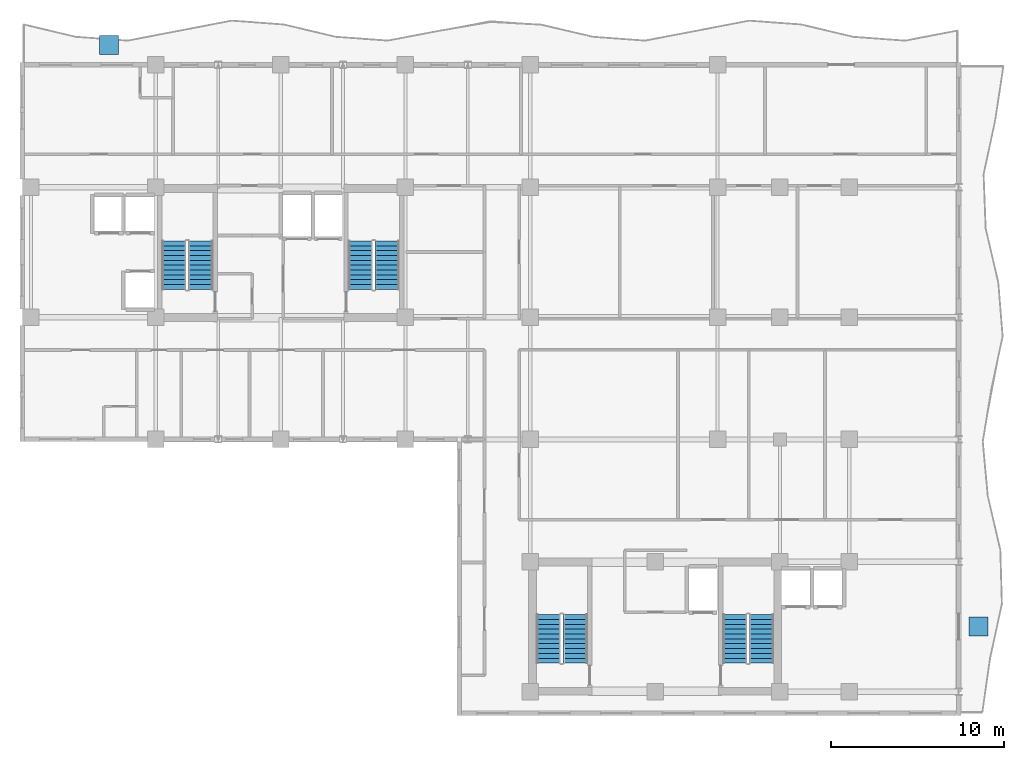
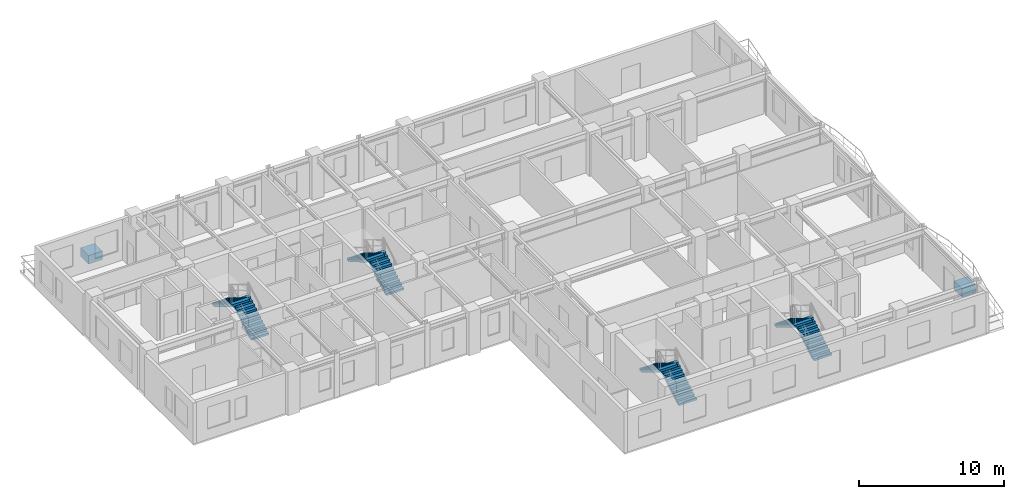
# One storey, part 10 of 13: 8 stair flights, 2 discrete accessories, 4 elements without a shape of their own.
"""IFC4 building model written with IfcOpenShell, lengths in metres."""

from ifc_helpers import new_model, si_unit, direction, frame, origin, origin_2d, place, context, subcontext, project, spatial, polyline, rectangle, outline, extrude, source, transform, mapped, material, type_object, element, aggregate, save


model = new_model("IFC4")

# Units and contexts
model_context = context("Model", 3, precision=1e-05, world=origin(), true_north=direction((0.0, 1.0)))
body_context = subcontext(model_context, "Body", "Model", "MODEL_VIEW")
ifc_project = project(units=[si_unit("LENGTHUNIT", "METRE"), si_unit("AREAUNIT", "SQUARE_METRE"), si_unit("VOLUMEUNIT", "CUBIC_METRE"), si_unit("PLANEANGLEUNIT", "RADIAN"), si_unit("MASSUNIT", "GRAM", prefix="KILO")], contexts=[model_context])

# Site, building, storey
site_placement = place(None, origin())
site = spatial("IfcSite", under=ifc_project, at=site_placement, CompositionType="ELEMENT")
building_placement = place(site_placement, origin())
building = spatial("IfcBuilding", under=site, at=building_placement, Name="Kaliganga Portal Commons", CompositionType="ELEMENT")
storey_placement = place(building_placement, frame((0.0, 0.0, 209.199951171875)))
storey = spatial("IfcBuildingStorey", under=building, at=storey_placement, Name="L53", CompositionType="ELEMENT", Elevation=209.199951171875)

# Stair, stair flights
ifc_material_1 = material(Name="Concrete C40/50", Category="concrete")
stair_type = type_object("IfcStairType", Name="ST-CORE-DOGLEG", PredefinedType="HALF_TURN_STAIR", material=ifc_material_1)
stair_1_placement = place(storey_placement, origin())
stair_1 = element("IfcStair", 1, at=stair_1_placement, inside=storey, type_object=stair_type, Name="L53 Protected Exit Stair ST-A1", PredefinedType="HALF_TURN_STAIR")
stair_flight_type = type_object("IfcStairFlightType", Name="STF-RC-1400", PredefinedType="STRAIGHT", material=ifc_material_1)
stair_flight_1_placement = place(storey_placement, frame((17.0, 30.25, 0.0), z_axis=(0.0, 0.0, 1.0), x_axis=(0.0, 1.0, 0.0)))
stair_flight_1 = element("IfcStairFlight", 2, at=stair_flight_1_placement, type_object=stair_flight_type, Name="ST-A1 flight 1", NumberOfRisers=11, NumberOfTreads=10, PredefinedType="STRAIGHT", RiserHeight=0.168181818, TreadLength=0.28, context=body_context, shape_type="SweptSolid", body=[
    extrude(outline(polyline([(0.0, 0.0), (0.0, 0.168212890625), (0.280029296875, 0.168212890625), (0.280029296875, 0.33642578125), (0.56005859375, 0.33642578125), (0.56005859375, 0.504638671875), (0.840087890625, 0.504638671875), (0.840087890625, 0.672607421875), (1.1201171875, 0.672607421875), (1.1201171875, 0.8408203125), (1.39990234375, 0.8408203125), (1.39990234375, 1.009033203125), (1.679931640625, 1.009033203125), (1.679931640625, 1.17724609375), (1.9599609375, 1.17724609375), (1.9599609375, 1.345458984375), (2.239990234375, 1.345458984375), (2.239990234375, 1.513671875), (2.52001953125, 1.513671875), (2.52001953125, 1.681884765625), (2.800048828125, 1.681884765625), (2.800048828125, 1.85009765625), (2.800048828125, 1.5068359375), (0.291015625, 0.0), (0.0, 0.0)])), frame((0.0, 0.699951171875, 0.0), z_axis=(0.0, -1.0, 0.0), x_axis=(1.0, 0.0, 0.0)), (0.0, 0.0, 1.0), 1.39990234375),
])
stair_flight_2_placement = place(storey_placement, frame((15.449951171875, 33.050048828125, 1.85009765625), z_axis=(0.0, 0.0, 1.0), x_axis=(0.0, -1.0, 0.0)))
stair_flight_2 = element("IfcStairFlight", 3, at=stair_flight_2_placement, type_object=stair_flight_type, Name="ST-A1 flight 2", NumberOfRisers=11, NumberOfTreads=10, PredefinedType="STRAIGHT", RiserHeight=0.168181818, TreadLength=0.28, context=body_context, shape_type="SweptSolid", body=[
    extrude(outline(polyline([(0.0, 0.0), (0.0, 0.168212890625), (0.280029296875, 0.168212890625), (0.280029296875, 0.33642578125), (0.56005859375, 0.33642578125), (0.56005859375, 0.504638671875), (0.840087890625, 0.504638671875), (0.840087890625, 0.672607421875), (1.1201171875, 0.672607421875), (1.1201171875, 0.8408203125), (1.39990234375, 0.8408203125), (1.39990234375, 1.009033203125), (1.679931640625, 1.009033203125), (1.679931640625, 1.17724609375), (1.9599609375, 1.17724609375), (1.9599609375, 1.345458984375), (2.239990234375, 1.345458984375), (2.239990234375, 1.513671875), (2.52001953125, 1.513671875), (2.52001953125, 1.681884765625), (2.800048828125, 1.681884765625), (2.800048828125, 1.85009765625), (2.800048828125, 1.5068359375), (0.291015625, 0.0), (0.0, 0.0)])), frame((0.0, 0.699951171875, 0.0), z_axis=(0.0, -1.0, 0.0), x_axis=(1.0, 0.0, 0.0)), (0.0, 0.0, 1.0), 1.39990234375),
])
aggregate(stair_1, [stair_flight_1, stair_flight_2])

stair_2_placement = place(storey_placement, origin())
stair_2 = element("IfcStair", 4, at=stair_2_placement, inside=storey, type_object=stair_type, Name="L53 Protected Exit Stair ST-A2", PredefinedType="HALF_TURN_STAIR")
stair_flight_3_placement = place(storey_placement, frame((27.75, 30.25, 0.0), z_axis=(0.0, 0.0, 1.0), x_axis=(0.0, 1.0, 0.0)))
stair_flight_3 = element("IfcStairFlight", 5, at=stair_flight_3_placement, type_object=stair_flight_type, Name="ST-A2 flight 1", NumberOfRisers=11, NumberOfTreads=10, PredefinedType="STRAIGHT", RiserHeight=0.168181818, TreadLength=0.28, context=body_context, shape_type="SweptSolid", body=[
    extrude(outline(polyline([(0.0, 0.0), (0.0, 0.168212890625), (0.280029296875, 0.168212890625), (0.280029296875, 0.33642578125), (0.56005859375, 0.33642578125), (0.56005859375, 0.504638671875), (0.840087890625, 0.504638671875), (0.840087890625, 0.672607421875), (1.1201171875, 0.672607421875), (1.1201171875, 0.8408203125), (1.39990234375, 0.8408203125), (1.39990234375, 1.009033203125), (1.679931640625, 1.009033203125), (1.679931640625, 1.17724609375), (1.9599609375, 1.17724609375), (1.9599609375, 1.345458984375), (2.239990234375, 1.345458984375), (2.239990234375, 1.513671875), (2.52001953125, 1.513671875), (2.52001953125, 1.681884765625), (2.800048828125, 1.681884765625), (2.800048828125, 1.85009765625), (2.800048828125, 1.5068359375), (0.291015625, 0.0), (0.0, 0.0)])), frame((0.0, 0.699951171875, 0.0), z_axis=(0.0, -1.0, 0.0), x_axis=(1.0, 0.0, 0.0)), (0.0, 0.0, 1.0), 1.39990234375),
])
stair_flight_4_placement = place(storey_placement, frame((26.199951171875, 33.050048828125, 1.85009765625), z_axis=(0.0, 0.0, 1.0), x_axis=(0.0, -1.0, 0.0)))
stair_flight_4 = element("IfcStairFlight", 6, at=stair_flight_4_placement, type_object=stair_flight_type, Name="ST-A2 flight 2", NumberOfRisers=11, NumberOfTreads=10, PredefinedType="STRAIGHT", RiserHeight=0.168181818, TreadLength=0.28, context=body_context, shape_type="SweptSolid", body=[
    extrude(outline(polyline([(0.0, 0.0), (0.0, 0.168212890625), (0.280029296875, 0.168212890625), (0.280029296875, 0.33642578125), (0.56005859375, 0.33642578125), (0.56005859375, 0.504638671875), (0.840087890625, 0.504638671875), (0.840087890625, 0.672607421875), (1.1201171875, 0.672607421875), (1.1201171875, 0.8408203125), (1.39990234375, 0.8408203125), (1.39990234375, 1.009033203125), (1.679931640625, 1.009033203125), (1.679931640625, 1.17724609375), (1.9599609375, 1.17724609375), (1.9599609375, 1.345458984375), (2.239990234375, 1.345458984375), (2.239990234375, 1.513671875), (2.52001953125, 1.513671875), (2.52001953125, 1.681884765625), (2.800048828125, 1.681884765625), (2.800048828125, 1.85009765625), (2.800048828125, 1.5068359375), (0.291015625, 0.0), (0.0, 0.0)])), frame((0.0, 0.699951171875, 0.0), z_axis=(0.0, -1.0, 0.0), x_axis=(1.0, 0.0, 0.0)), (0.0, 0.0, 1.0), 1.39990234375),
])
aggregate(stair_2, [stair_flight_3, stair_flight_4])

stair_3_placement = place(storey_placement, origin())
stair_3 = element("IfcStair", 7, at=stair_3_placement, inside=storey, type_object=stair_type, Name="L53 Protected Exit Stair ST-B1", PredefinedType="HALF_TURN_STAIR")
stair_flight_5_placement = place(storey_placement, frame((38.60009765625, 8.699951171875, 0.0), z_axis=(0.0, 0.0, 1.0), x_axis=(0.0, 1.0, 0.0)))
stair_flight_5 = element("IfcStairFlight", 8, at=stair_flight_5_placement, type_object=stair_flight_type, Name="ST-B1 flight 1", NumberOfRisers=11, NumberOfTreads=10, PredefinedType="STRAIGHT", RiserHeight=0.168181818, TreadLength=0.28, context=body_context, shape_type="SweptSolid", body=[
    extrude(outline(polyline([(0.0, 0.0), (0.0, 0.168212890625), (0.280029296875, 0.168212890625), (0.280029296875, 0.33642578125), (0.56005859375, 0.33642578125), (0.56005859375, 0.504638671875), (0.840087890625, 0.504638671875), (0.840087890625, 0.672607421875), (1.1201171875, 0.672607421875), (1.1201171875, 0.8408203125), (1.39990234375, 0.8408203125), (1.39990234375, 1.009033203125), (1.679931640625, 1.009033203125), (1.679931640625, 1.17724609375), (1.9599609375, 1.17724609375), (1.9599609375, 1.345458984375), (2.239990234375, 1.345458984375), (2.239990234375, 1.513671875), (2.52001953125, 1.513671875), (2.52001953125, 1.681884765625), (2.800048828125, 1.681884765625), (2.800048828125, 1.85009765625), (2.800048828125, 1.5068359375), (0.291015625, 0.0), (0.0, 0.0)])), frame((0.0, 0.699951171875, 0.0), z_axis=(0.0, -1.0, 0.0), x_axis=(1.0, 0.0, 0.0)), (0.0, 0.0, 1.0), 1.39990234375),
])
stair_flight_6_placement = place(storey_placement, frame((37.050048828125, 11.5, 1.85009765625), z_axis=(0.0, 0.0, 1.0), x_axis=(0.0, -1.0, 0.0)))
stair_flight_6 = element("IfcStairFlight", 9, at=stair_flight_6_placement, type_object=stair_flight_type, Name="ST-B1 flight 2", NumberOfRisers=11, NumberOfTreads=10, PredefinedType="STRAIGHT", RiserHeight=0.168181818, TreadLength=0.28, context=body_context, shape_type="SweptSolid", body=[
    extrude(outline(polyline([(0.0, 0.0), (0.0, 0.168212890625), (0.280029296875, 0.168212890625), (0.280029296875, 0.33642578125), (0.56005859375, 0.33642578125), (0.56005859375, 0.504638671875), (0.840087890625, 0.504638671875), (0.840087890625, 0.672607421875), (1.1201171875, 0.672607421875), (1.1201171875, 0.8408203125), (1.39990234375, 0.8408203125), (1.39990234375, 1.009033203125), (1.679931640625, 1.009033203125), (1.679931640625, 1.17724609375), (1.9599609375, 1.17724609375), (1.9599609375, 1.345458984375), (2.239990234375, 1.345458984375), (2.239990234375, 1.513671875), (2.52001953125, 1.513671875), (2.52001953125, 1.681884765625), (2.800048828125, 1.681884765625), (2.800048828125, 1.85009765625), (2.800048828125, 1.5068359375), (0.291015625, 0.0), (0.0, 0.0)])), frame((0.0, 0.699951171875, 0.0), z_axis=(0.0, -1.0, 0.0), x_axis=(1.0, 0.0, 0.0)), (0.0, 0.0, 1.0), 1.39990234375),
])
aggregate(stair_3, [stair_flight_5, stair_flight_6])

stair_4_placement = place(storey_placement, origin())
stair_4 = element("IfcStair", 10, at=stair_4_placement, inside=storey, type_object=stair_type, Name="L53 Protected Exit Stair ST-B2", PredefinedType="HALF_TURN_STAIR")
stair_flight_7_placement = place(storey_placement, frame((49.35009765625, 8.699951171875, 0.0), z_axis=(0.0, 0.0, 1.0), x_axis=(0.0, 1.0, 0.0)))
stair_flight_7 = element("IfcStairFlight", 11, at=stair_flight_7_placement, type_object=stair_flight_type, Name="ST-B2 flight 1", NumberOfRisers=11, NumberOfTreads=10, PredefinedType="STRAIGHT", RiserHeight=0.168181818, TreadLength=0.28, context=body_context, shape_type="SweptSolid", body=[
    extrude(outline(polyline([(0.0, 0.0), (0.0, 0.168212890625), (0.280029296875, 0.168212890625), (0.280029296875, 0.33642578125), (0.56005859375, 0.33642578125), (0.56005859375, 0.504638671875), (0.840087890625, 0.504638671875), (0.840087890625, 0.672607421875), (1.1201171875, 0.672607421875), (1.1201171875, 0.8408203125), (1.39990234375, 0.8408203125), (1.39990234375, 1.009033203125), (1.679931640625, 1.009033203125), (1.679931640625, 1.17724609375), (1.9599609375, 1.17724609375), (1.9599609375, 1.345458984375), (2.239990234375, 1.345458984375), (2.239990234375, 1.513671875), (2.52001953125, 1.513671875), (2.52001953125, 1.681884765625), (2.800048828125, 1.681884765625), (2.800048828125, 1.85009765625), (2.800048828125, 1.5068359375), (0.291015625, 0.0), (0.0, 0.0)])), frame((0.0, 0.699951171875, 0.0), z_axis=(0.0, -1.0, 0.0), x_axis=(1.0, 0.0, 0.0)), (0.0, 0.0, 1.0), 1.39990234375),
])
stair_flight_8_placement = place(storey_placement, frame((47.800048828125, 11.5, 1.85009765625), z_axis=(0.0, 0.0, 1.0), x_axis=(0.0, -1.0, 0.0)))
stair_flight_8 = element("IfcStairFlight", 12, at=stair_flight_8_placement, type_object=stair_flight_type, Name="ST-B2 flight 2", NumberOfRisers=11, NumberOfTreads=10, PredefinedType="STRAIGHT", RiserHeight=0.168181818, TreadLength=0.28, context=body_context, shape_type="SweptSolid", body=[
    extrude(outline(polyline([(0.0, 0.0), (0.0, 0.168212890625), (0.280029296875, 0.168212890625), (0.280029296875, 0.33642578125), (0.56005859375, 0.33642578125), (0.56005859375, 0.504638671875), (0.840087890625, 0.504638671875), (0.840087890625, 0.672607421875), (1.1201171875, 0.672607421875), (1.1201171875, 0.8408203125), (1.39990234375, 0.8408203125), (1.39990234375, 1.009033203125), (1.679931640625, 1.009033203125), (1.679931640625, 1.17724609375), (1.9599609375, 1.17724609375), (1.9599609375, 1.345458984375), (2.239990234375, 1.345458984375), (2.239990234375, 1.513671875), (2.52001953125, 1.513671875), (2.52001953125, 1.681884765625), (2.800048828125, 1.681884765625), (2.800048828125, 1.85009765625), (2.800048828125, 1.5068359375), (0.291015625, 0.0), (0.0, 0.0)])), frame((0.0, 0.699951171875, 0.0), z_axis=(0.0, -1.0, 0.0), x_axis=(1.0, 0.0, 0.0)), (0.0, 0.0, 1.0), 1.39990234375),
])
aggregate(stair_4, [stair_flight_7, stair_flight_8])

# Discrete accessories
ifc_material_2 = material(Name="Precast concrete C40/50", Category="concrete")
discrete_accessory_type = type_object("IfcDiscreteAccessoryType", Name="DAC-PLANTER-RC", PredefinedType="USERDEFINED", material=ifc_material_2)
shared_shape = source(origin(), body_context, "Body", "SweptSolid", [
    extrude(rectangle(XDim=1.10009765625, YDim=1.10009765625, at=origin_2d()), origin(), (0.0, 0.0, 1.0), 0.719970703125),
])
for number, where, z_axis, x_axis, name in (
    (13, (11.699951171875, 44.35009765625, 0.0), (0.0, 0.0, 1.0), (1.0, 0.0, 0.0), "Structural Tree Planter L53 balc_north"),
    (14, (61.85009765625, 10.800048828125, 0.0), (0.0, 0.0, 1.0), (1.0, 0.0, 0.0), "Structural Tree Planter L53 balc_east"),
):
    element("IfcDiscreteAccessory", number, at=place(storey_placement, frame(where, z_axis=z_axis, x_axis=x_axis)), inside=storey, type_object=discrete_accessory_type, Name=name, ObjectType="PLANTER", PredefinedType="USERDEFINED", context=body_context, shape_type="MappedRepresentation", body=[
        mapped(shared_shape, transform((0.0, 0.0, 0.0), x_axis=(1.0, 0.0, 0.0), y_axis=(0.0, 1.0, 0.0), z_axis=(0.0, 0.0, 1.0), scale=1.0)),
    ])

save(model, "model.ifc")
